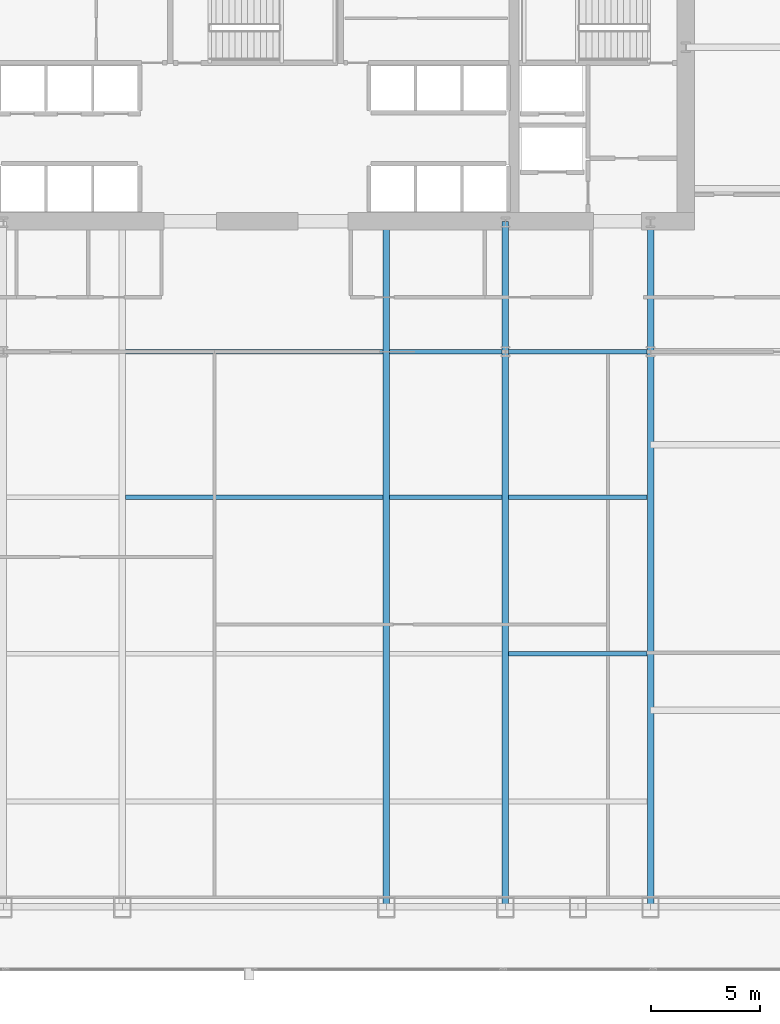
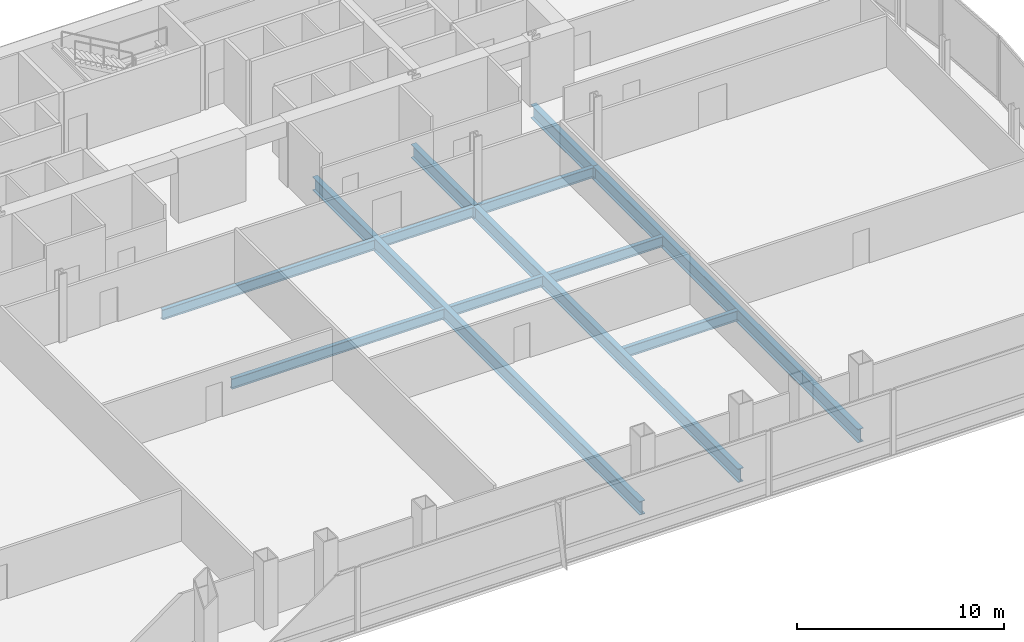
# One storey, part 15 of 35: 12 beams.
"""IFC4 building model written with IfcOpenShell, lengths in metres."""

from ifc_helpers import new_model, si_unit, direction, frame, origin, origin_2d, place, context, subcontext, project, spatial, i_section, extrude, material, material_profile, profile_set, type_object, element, save


model = new_model("IFC4")

# Units and contexts
model_context = context("Model", 3, precision=1e-05, world=origin(), true_north=direction((0.0, 1.0)))
body_context = subcontext(model_context, "Body", "Model", "MODEL_VIEW")
ifc_project = project(units=[si_unit("LENGTHUNIT", "METRE"), si_unit("AREAUNIT", "SQUARE_METRE"), si_unit("VOLUMEUNIT", "CUBIC_METRE"), si_unit("PLANEANGLEUNIT", "RADIAN"), si_unit("MASSUNIT", "GRAM", prefix="KILO")], contexts=[model_context])

# Site, building, storey
site_placement = place(None, origin())
site = spatial("IfcSite", under=ifc_project, at=site_placement, CompositionType="ELEMENT")
building_placement = place(site_placement, origin())
building = spatial("IfcBuilding", under=site, at=building_placement, Name="Khoronbel Lancet Exchange", CompositionType="ELEMENT")
storey_placement = place(building_placement, frame((0.0, 0.0, 53.800048828125)))
storey = spatial("IfcBuildingStorey", under=building, at=storey_placement, Name="L12", CompositionType="ELEMENT", Elevation=53.800048828125)

# Beams
ifc_material = material(Name="Steel S355", Category="steel")
ifc_material_profile_1 = material_profile(ifc_material, i_section(OverallWidth=0.300048828125, OverallDepth=0.800048828125, WebThickness=0.017578125, FlangeThickness=0.032958984375, at=origin_2d()), Name="HEB 800")
ifc_profile_set_1 = profile_set([ifc_material_profile_1], Name="Steel S355")
beam_type_1 = type_object("IfcBeamType", Name="BM-BG2", PredefinedType="BEAM", material=ifc_profile_set_1)
beam_1_placement = place(storey_placement, frame((42.52490234375, 10.14990234375, -0.580078125), z_axis=(0.0, 1.0, 0.0), x_axis=(-1.0, 0.0, 0.0)))
element("IfcBeam", 1, at=beam_1_placement, inside=storey, type_object=beam_type_1, Name="Level L12 primary floor girder G4", PredefinedType="BEAM", context=body_context, shape_type="SweptSolid", body=[
    extrude(i_section(OverallWidth=0.300048828125, OverallDepth=0.800048828125, WebThickness=0.017578125, FlangeThickness=0.032958984375, at=origin_2d()), origin(), (0.0, 0.0, 1.0), 31.550048828125),
])
beam_2_placement = place(storey_placement, frame((48.0, 10.14990234375, -0.580078125), z_axis=(0.0, 1.0, 0.0), x_axis=(-1.0, 0.0, 0.0)))
element("IfcBeam", 2, at=beam_2_placement, inside=storey, type_object=beam_type_1, Name="Level L12 south primary girder GS5", PredefinedType="BEAM", context=body_context, shape_type="SweptSolid", body=[
    extrude(i_section(OverallWidth=0.300048828125, OverallDepth=0.800048828125, WebThickness=0.017578125, FlangeThickness=0.032958984375, at=origin_2d()), origin(), (0.0, 0.0, 1.0), 25.550048828125),
])
beam_3_placement = place(storey_placement, frame((48.0, 35.699951171875, -0.580078125), z_axis=(0.0, 1.0, 0.0), x_axis=(-1.0, 0.0, 0.0)))
element("IfcBeam", 3, at=beam_3_placement, inside=storey, type_object=beam_type_1, Name="Level L12 spine tie girder GN5", PredefinedType="BEAM", context=body_context, shape_type="SweptSolid", body=[
    extrude(i_section(OverallWidth=0.300048828125, OverallDepth=0.800048828125, WebThickness=0.017578125, FlangeThickness=0.032958984375, at=origin_2d()), origin(), (0.0, 0.0, 1.0), 6.0),
])
beam_4_placement = place(storey_placement, frame((54.675048828125, 10.14990234375, -0.580078125), z_axis=(0.0, 1.0, 0.0), x_axis=(-1.0, 0.0, 0.0)))
element("IfcBeam", 4, at=beam_4_placement, inside=storey, type_object=beam_type_1, Name="Level L12 south primary girder GS6", PredefinedType="BEAM", context=body_context, shape_type="SweptSolid", body=[
    extrude(i_section(OverallWidth=0.300048828125, OverallDepth=0.800048828125, WebThickness=0.017578125, FlangeThickness=0.032958984375, at=origin_2d()), origin(), (0.0, 0.0, 1.0), 25.550048828125),
])
beam_5_placement = place(storey_placement, frame((54.675048828125, 35.699951171875, -0.580078125), z_axis=(0.0, 1.0, 0.0), x_axis=(-1.0, 0.0, 0.0)))
element("IfcBeam", 5, at=beam_5_placement, inside=storey, type_object=beam_type_1, Name="Level L12 spine tie girder GN6", PredefinedType="BEAM", context=body_context, shape_type="SweptSolid", body=[
    extrude(i_section(OverallWidth=0.300048828125, OverallDepth=0.800048828125, WebThickness=0.017578125, FlangeThickness=0.032958984375, at=origin_2d()), origin(), (0.0, 0.0, 1.0), 6.0),
])
ifc_material_profile_2 = material_profile(ifc_material, i_section(OverallWidth=0.219970703125, OverallDepth=0.60009765625, WebThickness=0.011962890625, FlangeThickness=0.01904296875, at=origin_2d()), Name="IPE 600")
ifc_profile_set_2 = profile_set([ifc_material_profile_2], Name="Steel S355")
beam_type_2 = type_object("IfcBeamType", Name="BM-BJ1", PredefinedType="JOIST", material=ifc_profile_set_2)
beam_6_placement = place(storey_placement, frame((48.14990234375, 21.800048828125, -0.47998046875), z_axis=(1.0, 0.0, 0.0), x_axis=(0.0, 1.0, 0.0)))
element("IfcBeam", 6, at=beam_6_placement, inside=storey, type_object=beam_type_2, Name="Level L12 secondary composite joist J10", PredefinedType="JOIST", context=body_context, shape_type="SweptSolid", body=[
    extrude(i_section(OverallWidth=0.219970703125, OverallDepth=0.60009765625, WebThickness=0.011962890625, FlangeThickness=0.01904296875, at=origin_2d()), origin(), (0.0, 0.0, 1.0), 6.375),
])
beam_7_placement = place(storey_placement, frame((30.52490234375, 29.0, -0.47998046875), z_axis=(1.0, 0.0, 0.0), x_axis=(0.0, 1.0, 0.0)))
element("IfcBeam", 7, at=beam_7_placement, inside=storey, type_object=beam_type_2, Name="Level L12 secondary composite joist J13", PredefinedType="JOIST", context=body_context, shape_type="SweptSolid", body=[
    extrude(i_section(OverallWidth=0.219970703125, OverallDepth=0.60009765625, WebThickness=0.011962890625, FlangeThickness=0.01904296875, at=origin_2d()), origin(), (0.0, 0.0, 1.0), 11.85009765625),
])
beam_8_placement = place(storey_placement, frame((42.675048828125, 29.0, -0.47998046875), z_axis=(1.0, 0.0, 0.0), x_axis=(0.0, 1.0, 0.0)))
element("IfcBeam", 8, at=beam_8_placement, inside=storey, type_object=beam_type_2, Name="Level L12 secondary composite joist J14", PredefinedType="JOIST", context=body_context, shape_type="SweptSolid", body=[
    extrude(i_section(OverallWidth=0.219970703125, OverallDepth=0.60009765625, WebThickness=0.011962890625, FlangeThickness=0.01904296875, at=origin_2d()), origin(), (0.0, 0.0, 1.0), 5.175048828125),
])
beam_9_placement = place(storey_placement, frame((48.14990234375, 29.0, -0.47998046875), z_axis=(1.0, 0.0, 0.0), x_axis=(0.0, 1.0, 0.0)))
element("IfcBeam", 9, at=beam_9_placement, inside=storey, type_object=beam_type_2, Name="Level L12 secondary composite joist J15", PredefinedType="JOIST", context=body_context, shape_type="SweptSolid", body=[
    extrude(i_section(OverallWidth=0.219970703125, OverallDepth=0.60009765625, WebThickness=0.011962890625, FlangeThickness=0.01904296875, at=origin_2d()), origin(), (0.0, 0.0, 1.0), 6.375),
])
beam_10_placement = place(storey_placement, frame((30.52490234375, 35.699951171875, -0.47998046875), z_axis=(1.0, 0.0, 0.0), x_axis=(0.0, 1.0, 0.0)))
element("IfcBeam", 10, at=beam_10_placement, inside=storey, type_object=beam_type_2, Name="Level L12 secondary composite joist J18", PredefinedType="JOIST", context=body_context, shape_type="SweptSolid", body=[
    extrude(i_section(OverallWidth=0.219970703125, OverallDepth=0.60009765625, WebThickness=0.011962890625, FlangeThickness=0.01904296875, at=origin_2d()), origin(), (0.0, 0.0, 1.0), 11.85009765625),
])
beam_11_placement = place(storey_placement, frame((42.675048828125, 35.699951171875, -0.47998046875), z_axis=(1.0, 0.0, 0.0), x_axis=(0.0, 1.0, 0.0)))
element("IfcBeam", 11, at=beam_11_placement, inside=storey, type_object=beam_type_2, Name="Level L12 secondary composite joist J19", PredefinedType="JOIST", context=body_context, shape_type="SweptSolid", body=[
    extrude(i_section(OverallWidth=0.219970703125, OverallDepth=0.60009765625, WebThickness=0.011962890625, FlangeThickness=0.01904296875, at=origin_2d()), origin(), (0.0, 0.0, 1.0), 5.175048828125),
])
beam_12_placement = place(storey_placement, frame((48.14990234375, 35.699951171875, -0.47998046875), z_axis=(1.0, 0.0, 0.0), x_axis=(0.0, 1.0, 0.0)))
element("IfcBeam", 12, at=beam_12_placement, inside=storey, type_object=beam_type_2, Name="Level L12 secondary composite joist J20", PredefinedType="JOIST", context=body_context, shape_type="SweptSolid", body=[
    extrude(i_section(OverallWidth=0.219970703125, OverallDepth=0.60009765625, WebThickness=0.011962890625, FlangeThickness=0.01904296875, at=origin_2d()), origin(), (0.0, 0.0, 1.0), 6.375),
])

save(model, "model.ifc")
